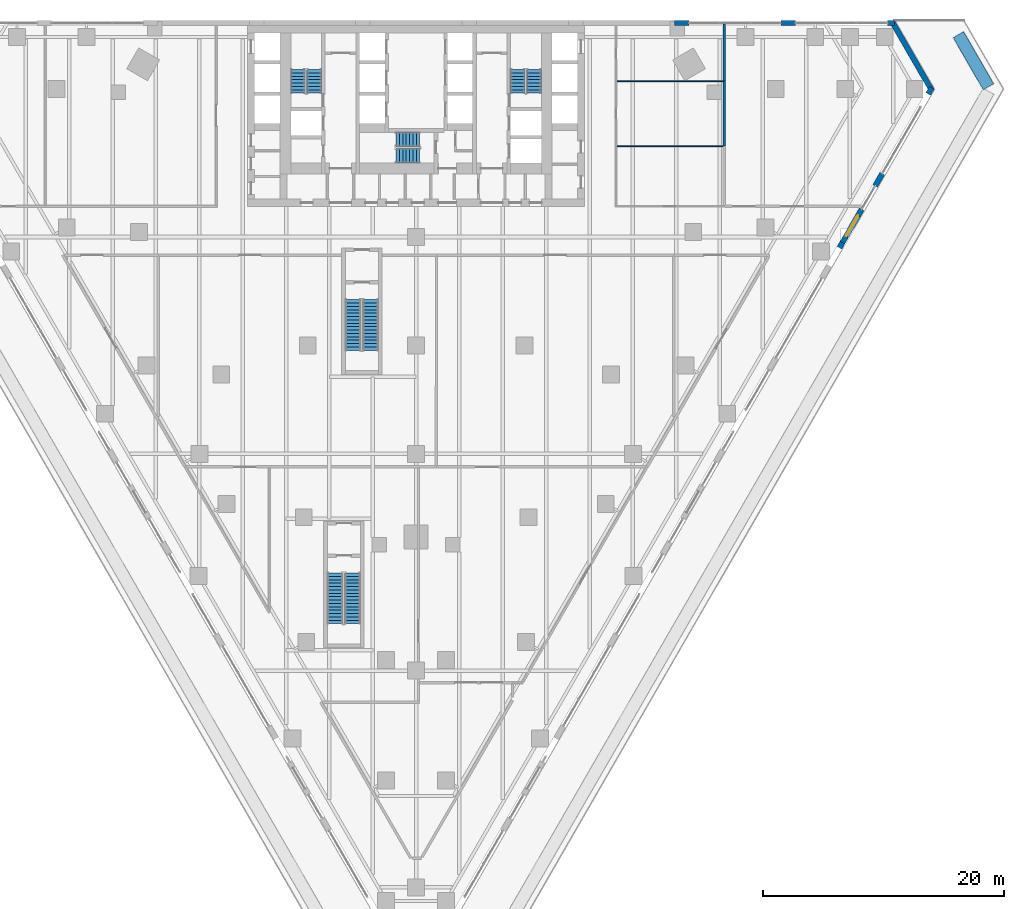
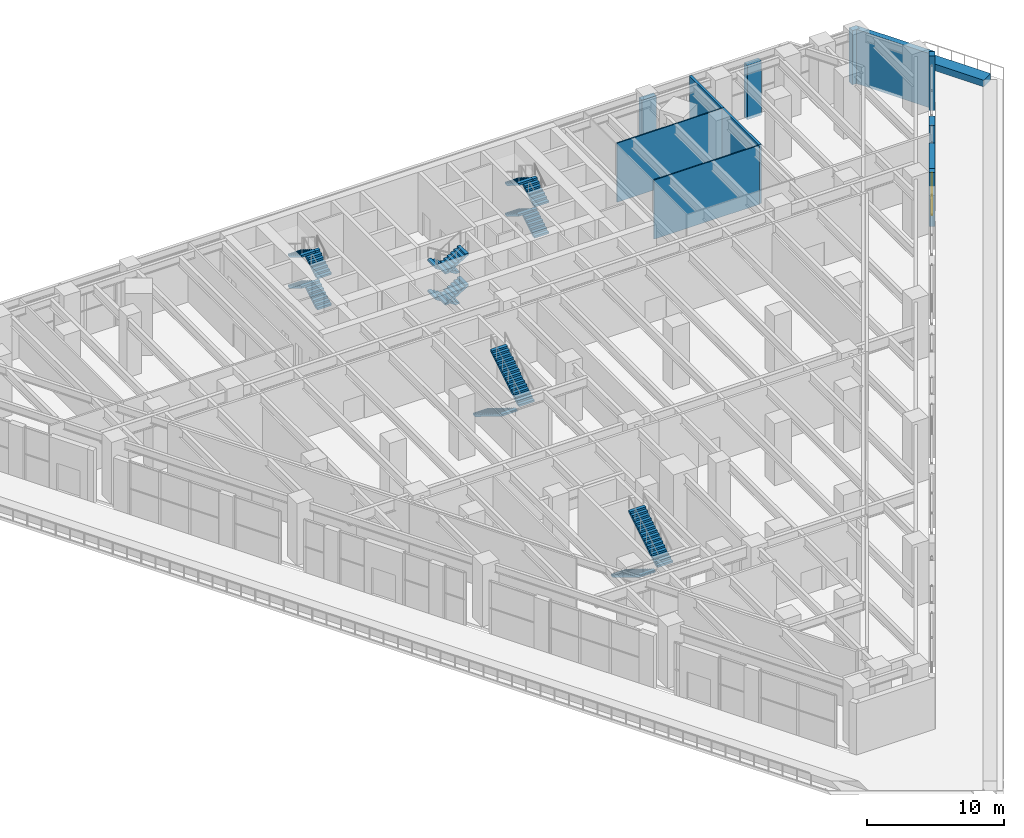
# One storey, part 25 of 30: 16 stair flights, 13 walls, 1 door, 1 opening, 5 elements without a shape of their own.
"""IFC4 building model written with IfcOpenShell, lengths in metres."""

from ifc_helpers import new_model, si_unit, direction, frame, frame_2d, origin, place, context, subcontext, project, spatial, polyline, rectangle, outline, extrude, material, layer, layer_set, type_object, element, fill, aggregate, save


model = new_model("IFC4")

# Units and contexts
model_context = context("Model", 3, precision=1e-05, world=origin(), true_north=direction((0.0, 1.0)))
body_context = subcontext(model_context, "Body", "Model", "MODEL_VIEW")
ifc_project = project(units=[si_unit("LENGTHUNIT", "METRE"), si_unit("AREAUNIT", "SQUARE_METRE"), si_unit("VOLUMEUNIT", "CUBIC_METRE"), si_unit("PLANEANGLEUNIT", "RADIAN"), si_unit("MASSUNIT", "GRAM", prefix="KILO")], contexts=[model_context])

# Site, building, storey
site_placement = place(None, origin())
site = spatial("IfcSite", under=ifc_project, at=site_placement, CompositionType="ELEMENT")
building_placement = place(site_placement, origin())
building = spatial("IfcBuilding", under=site, at=building_placement, Name="Aloe Facet Convention Tower", CompositionType="ELEMENT")
storey_placement = place(building_placement, frame((0.0, 0.0, 19.5)))
storey = spatial("IfcBuildingStorey", under=building, at=storey_placement, Name="L03", CompositionType="ELEMENT", Elevation=19.5)

# Walls
ifc_material_1 = material(Name="Precast concrete C40/50", Category="concrete")
ifc_layer_1 = layer(ifc_material_1, 1.0)
ifc_layer_set_1 = layer_set([ifc_layer_1], Name="EV-PLANTER-BED")
wall_type_1 = type_object("IfcWallType", Name="EV-PLANTER-BED", PredefinedType="STANDARD", material=ifc_layer_set_1)
wall_1_placement = place(storey_placement, frame((125.028076171875, 133.80712890625, 0.0), z_axis=(0.0, 0.0, 1.0), x_axis=(0.500004234368, -0.866022959057, 0.0)))
element("IfcWall", 1, at=wall_1_placement, inside=storey, type_object=wall_type_1, Name="PLANTER PT-L03-1-1", PredefinedType="STANDARD", context=body_context, shape_type="SweptSolid", body=[
    extrude(rectangle(XDim=5.0, YDim=1.0, at=frame_2d((2.5, 0.0))), origin(), (0.0, 0.0, 1.0), 0.60009765625),
])
ifc_material_2 = material(Name="Precast concrete C40/50", Category="concrete")
ifc_layer_2 = layer(ifc_material_2, 0.449951171875)
ifc_layer_set_2 = layer_set([ifc_layer_2], Name="EV-WALL-PIER")
wall_type_2 = type_object("IfcWallType", Name="EV-WALL-PIER", PredefinedType="SOLIDWALL", material=ifc_layer_set_2)
wall_2_placement = place(storey_placement, frame((0.0, 0.0, -0.25)))
element("IfcWall", 2, at=wall_2_placement, inside=storey, type_object=wall_type_2, Name="EP-L03-C", PredefinedType="SOLIDWALL", context=body_context, shape_type="SweptSolid", body=[
    extrude(outline(polyline([(123.0205078125, 129.2841796875), (122.630859375, 129.50927734375), (122.5009765625, 129.2841796875), (119.460693359375, 134.550048828125), (119.720458984375, 134.550048828125), (119.720458984375, 135.0), (123.0205078125, 129.2841796875)])), origin(), (0.0, 0.0, 1.0), 4.8125),
])
ifc_material_3 = material(Name="Precast concrete C40/50", Category="concrete")
ifc_layer_3 = layer(ifc_material_3, 0.449951171875)
ifc_layer_set_3 = layer_set([ifc_layer_3], Name="EV-WALL-STONE")
wall_type_3 = type_object("IfcWallType", Name="EV-WALL-STONE", PredefinedType="SOLIDWALL", material=ifc_layer_set_3)
wall_3_placement = place(storey_placement, frame((119.720458984375, 134.77490234375, -0.25), z_axis=(0.0, 0.0, 1.0), x_axis=(-1.0, 0.0, 0.0)))
element("IfcWall", 3, at=wall_3_placement, inside=storey, type_object=wall_type_3, Name="PW-L03-N01", PredefinedType="SOLIDWALL", context=body_context, shape_type="SweptSolid", body=[
    extrude(rectangle(XDim=0.599853515625, YDim=0.449951171875, at=frame_2d((0.2998046875, 0.0))), origin(), (0.0, 0.0, 1.0), 4.8125),
])
for number, where, z_axis, x_axis, name in (
    (4, (111.49365234375, 134.77490234375, -0.25), (0.0, 0.0, 1.0), (-1.0, 0.0, 0.0), "PW-L03-N03"),
    (5, (102.6669921875, 134.77490234375, -0.25), (0.0, 0.0, 1.0), (-1.0, 0.0, 0.0), "PW-L03-N05"),
):
    element("IfcWall", number, at=place(storey_placement, frame(where, z_axis=z_axis, x_axis=x_axis)), inside=storey, type_object=wall_type_3, Name=name, PredefinedType="SOLIDWALL", context=body_context, shape_type="SweptSolid", body=[
        extrude(rectangle(XDim=1.199951171875, YDim=0.449951171875, at=frame_2d((0.60009765625, 0.0))), origin(), (0.0, 0.0, 1.0), 4.8125),
    ])
wall_4_placement = place(storey_placement, frame((115.1513671875, 116.1044921875, -0.25), z_axis=(0.0, 0.0, 1.0), x_axis=(0.500013496215, 0.866017611601, 0.0)))
element("IfcWall", 6, at=wall_4_placement, inside=storey, type_object=wall_type_3, Name="CW-L03-E16A-S1", PredefinedType="SOLIDWALL", context=body_context, shape_type="SweptSolid", body=[
    extrude(rectangle(XDim=0.50830078125, YDim=0.449951171875, at=frame_2d((0.254150390625, 0.0))), origin(), (0.0, 0.0, 1.0), 4.8125),
])

# Wall, opening, door
wall_5_placement = place(storey_placement, frame((115.405517578125, 116.544677734375, -0.25), z_axis=(0.0, 0.0, 1.0), x_axis=(0.499995408039, 0.866028054938, 0.0)))
wall_5 = element("IfcWall", 7, at=wall_5_placement, inside=storey, type_object=wall_type_3, Name="PW-L03-E16", PredefinedType="SOLIDWALL", context=body_context, shape_type="SweptSolid", body=[
    extrude(rectangle(XDim=3.2001953125, YDim=0.449951171875, at=frame_2d((1.60009765625, 0.0))), origin(), (0.0, 0.0, 1.0), 4.8125),
])
opening_placement = place(wall_5_placement, frame((0.60009765625, 0.0, 0.25)))
opening = element("IfcOpeningElement", 8, at=opening_placement, cuts=wall_5, Name="Opening D-L03-E16", PredefinedType="OPENING", context=body_context, shape_type="SweptSolid", body=[
    extrude(rectangle(XDim=2.0, YDim=2.39990234375, at=frame_2d((1.0, 1.199951171875))), frame((0.0, 0.23486328125, 0.0), z_axis=(0.0, -1.0, 0.0), x_axis=(1.0, 0.0, 0.0)), (0.0, 0.0, 1.0), 0.469970703125),
])
ifc_material_4 = material(Name="Aluminium frame, clear double glazing", Category="aluminium")
door_type = type_object("IfcDoorType", Name="EV-DOOR-HALL", OperationType="DOUBLE_DOOR_SINGLE_SWING", PredefinedType="DOOR", material=ifc_material_4)
door_placement = place(opening_placement, origin())
door = element("IfcDoor", 9, at=door_placement, inside=storey, type_object=door_type, Name="D-L03-E16", OperationType="DOUBLE_DOOR_SINGLE_SWING", OverallHeight=2.39990234375, OverallWidth=2.0, PredefinedType="DOOR", context=body_context, shape_type="SweptSolid", body=[
    extrude(rectangle(XDim=2.0, YDim=2.39990234375, at=frame_2d((1.0, 1.199951171875))), frame((0.0, 0.02490234375, 0.0), z_axis=(0.0, -1.0, 0.0), x_axis=(1.0, 0.0, 0.0)), (0.0, 0.0, 1.0), 0.050048828125),
])
fill(opening, door)

# Walls
wall_6_placement = place(storey_placement, frame((118.1123046875, 121.23291015625, -0.25), z_axis=(0.0, 0.0, 1.0), x_axis=(0.499880961361, 0.866094119867, 0.0)))
element("IfcWall", 10, at=wall_6_placement, inside=storey, type_object=wall_type_3, Name="PW-L03-E17", PredefinedType="SOLIDWALL", context=body_context, shape_type="SweptSolid", body=[
    extrude(rectangle(XDim=1.199951171875, YDim=0.449951171875, at=frame_2d((0.60009765625, 0.0))), origin(), (0.0, 0.0, 1.0), 4.8125),
])
wall_7_placement = place(storey_placement, frame((122.525634765625, 128.877197265625, -0.25), z_axis=(0.0, 0.0, 1.0), x_axis=(0.50012165622, 0.865955154139, 0.0)))
element("IfcWall", 11, at=wall_7_placement, inside=storey, type_object=wall_type_3, Name="PW-L03-E19", PredefinedType="SOLIDWALL", context=body_context, shape_type="SweptSolid", body=[
    extrude(rectangle(XDim=0.599853515625, YDim=0.449951171875, at=frame_2d((0.2998046875, 0.0))), origin(), (0.0, 0.0, 1.0), 4.8125),
])
ifc_material_5 = material(Name="Masonry blockwork wall, plastered", Category="masonry")
ifc_layer_4 = layer(ifc_material_5, 0.199951171875)
ifc_layer_set_4 = layer_set([ifc_layer_4], Name="IN-POD-W-ASSY")
wall_type_4 = type_object("IfcWallType", Name="IN-POD-W-ASSY", PredefinedType="PARTITIONING", material=ifc_layer_set_4)
wall_8_placement = place(storey_placement, frame((105.60009765625, 124.550048828125, 0.0), z_axis=(0.0, 0.0, 1.0), x_axis=(0.0, 1.0, 0.0)))
element("IfcWall", 12, at=wall_8_placement, inside=storey, type_object=wall_type_4, Name="Partition L03-W039", PredefinedType="PARTITIONING", context=body_context, shape_type="SweptSolid", body=[
    extrude(rectangle(XDim=5.39990234375, YDim=0.199951171875, at=frame_2d((2.699951171875, 0.0))), origin(), (0.0, 0.0, 1.0), 5.25),
])
wall_9_placement = place(storey_placement, frame((105.60009765625, 129.949951171875, 0.0), z_axis=(0.0, 0.0, 1.0), x_axis=(0.0, 1.0, 0.0)))
element("IfcWall", 13, at=wall_9_placement, inside=storey, type_object=wall_type_4, Name="Partition L03-W042", PredefinedType="PARTITIONING", context=body_context, shape_type="SweptSolid", body=[
    extrude(rectangle(XDim=4.72509765625, YDim=0.199951171875, at=frame_2d((2.362548828125, 0.0))), origin(), (0.0, 0.0, 1.0), 5.25),
])
ifc_material_6 = material(Name="Gypsum board partition on steel studs, moisture resistant", Category="steel")
ifc_layer_5 = layer(ifc_material_6, 0.10009765625)
ifc_layer_set_5 = layer_set([ifc_layer_5], Name="IN-POD-W-WET")
wall_type_5 = type_object("IfcWallType", Name="IN-POD-W-WET", PredefinedType="PARTITIONING", material=ifc_layer_set_5)
for number, where, z_axis, x_axis, name in (
    (14, (96.675048828125, 124.550048828125, 0.0), (0.0, 0.0, 1.0), (1.0, 0.0, 0.0), "Partition L03-W038"),
    (15, (96.675048828125, 129.949951171875, 0.0), (0.0, 0.0, 1.0), (1.0, 0.0, 0.0), "Partition L03-W041"),
):
    element("IfcWall", number, at=place(storey_placement, frame(where, z_axis=z_axis, x_axis=x_axis)), inside=storey, type_object=wall_type_5, Name=name, PredefinedType="PARTITIONING", context=body_context, shape_type="SweptSolid", body=[
        extrude(rectangle(XDim=8.824951171875, YDim=0.10009765625, at=frame_2d((4.41259765625, 0.0))), origin(), (0.0, 0.0, 1.0), 5.25),
    ])

# Stair, stair flights
ifc_material_7 = material(Name="Concrete C50/60", Category="concrete")
stair_type_1 = type_object("IfcStairType", Name="CR-ST-32R", PredefinedType="HALF_TURN_STAIR", material=ifc_material_7)
stair_1_placement = place(storey_placement, origin())
stair_1 = element("IfcStair", 16, at=stair_1_placement, inside=storey, type_object=stair_type_1, Name="L03 Protected exit stair ST1", PredefinedType="HALF_TURN_STAIR")
ifc_material_8 = material(Name="Concrete C50/60", Category="concrete")
stair_flight_type_1 = type_object("IfcStairFlightType", Name="CR-SFL-32R", PredefinedType="STRAIGHT", material=ifc_material_8)
stair_flight_1_placement = place(storey_placement, frame((71.550048828125, 128.949951171875, 0.0), z_axis=(0.0, 0.0, 1.0), x_axis=(0.0, 1.0, 0.0)))
stair_flight_1 = element("IfcStairFlight", 17, at=stair_flight_1_placement, type_object=stair_flight_type_1, Name="ST1 flight 1", NumberOfRisers=8, NumberOfTreads=7, PredefinedType="STRAIGHT", RiserHeight=0.171875, TreadLength=0.28, context=body_context, shape_type="SweptSolid", body=[
    extrude(outline(polyline([(0.0, 0.0), (0.0, 0.171875), (0.280029296875, 0.171875), (0.280029296875, 0.34375), (0.56005859375, 0.34375), (0.56005859375, 0.515625), (0.840087890625, 0.515625), (0.840087890625, 0.6875), (1.1201171875, 0.6875), (1.1201171875, 0.859375), (1.39990234375, 0.859375), (1.39990234375, 1.03125), (1.679931640625, 1.03125), (1.679931640625, 1.203125), (1.9599609375, 1.203125), (1.9599609375, 1.375), (1.9599609375, 1.02734375), (0.28662109375, 0.0), (0.0, 0.0)])), frame((0.0, 0.60009765625, 0.0), z_axis=(0.0, -1.0, 0.0), x_axis=(1.0, 0.0, 0.0)), (0.0, 0.0, 1.0), 1.199951171875),
])
stair_flight_2_placement = place(storey_placement, frame((70.199951171875, 130.909912109375, 1.375), z_axis=(0.0, 0.0, 1.0), x_axis=(0.0, -1.0, 0.0)))
stair_flight_2 = element("IfcStairFlight", 18, at=stair_flight_2_placement, type_object=stair_flight_type_1, Name="ST1 flight 2", NumberOfRisers=8, NumberOfTreads=7, PredefinedType="STRAIGHT", RiserHeight=0.171875, TreadLength=0.28, context=body_context, shape_type="SweptSolid", body=[
    extrude(outline(polyline([(0.0, 0.0), (0.0, 0.171875), (0.280029296875, 0.171875), (0.280029296875, 0.34375), (0.56005859375, 0.34375), (0.56005859375, 0.515625), (0.840087890625, 0.515625), (0.840087890625, 0.6875), (1.1201171875, 0.6875), (1.1201171875, 0.859375), (1.39990234375, 0.859375), (1.39990234375, 1.03125), (1.679931640625, 1.03125), (1.679931640625, 1.203125), (1.9599609375, 1.203125), (1.9599609375, 1.375), (1.9599609375, 1.02734375), (0.28662109375, 0.0), (0.0, 0.0)])), frame((0.0, 0.60009765625, 0.0), z_axis=(0.0, -1.0, 0.0), x_axis=(1.0, 0.0, 0.0)), (0.0, 0.0, 1.0), 1.199951171875),
])
stair_flight_3_placement = place(storey_placement, frame((71.550048828125, 128.949951171875, 2.75), z_axis=(0.0, 0.0, 1.0), x_axis=(0.0, 1.0, 0.0)))
stair_flight_3 = element("IfcStairFlight", 19, at=stair_flight_3_placement, type_object=stair_flight_type_1, Name="ST1 flight 3", NumberOfRisers=8, NumberOfTreads=7, PredefinedType="STRAIGHT", RiserHeight=0.171875, TreadLength=0.28, context=body_context, shape_type="SweptSolid", body=[
    extrude(outline(polyline([(0.0, 0.0), (0.0, 0.171875), (0.280029296875, 0.171875), (0.280029296875, 0.34375), (0.56005859375, 0.34375), (0.56005859375, 0.515625), (0.840087890625, 0.515625), (0.840087890625, 0.6875), (1.1201171875, 0.6875), (1.1201171875, 0.859375), (1.39990234375, 0.859375), (1.39990234375, 1.03125), (1.679931640625, 1.03125), (1.679931640625, 1.203125), (1.9599609375, 1.203125), (1.9599609375, 1.375), (1.9599609375, 1.02734375), (0.28662109375, 0.0), (0.0, 0.0)])), frame((0.0, 0.60009765625, 0.0), z_axis=(0.0, -1.0, 0.0), x_axis=(1.0, 0.0, 0.0)), (0.0, 0.0, 1.0), 1.199951171875),
])
stair_flight_4_placement = place(storey_placement, frame((70.199951171875, 130.909912109375, 4.125), z_axis=(0.0, 0.0, 1.0), x_axis=(0.0, -1.0, 0.0)))
stair_flight_4 = element("IfcStairFlight", 20, at=stair_flight_4_placement, type_object=stair_flight_type_1, Name="ST1 flight 4", NumberOfRisers=8, NumberOfTreads=7, PredefinedType="STRAIGHT", RiserHeight=0.171875, TreadLength=0.28, context=body_context, shape_type="SweptSolid", body=[
    extrude(outline(polyline([(0.0, 0.0), (0.0, 0.171875), (0.280029296875, 0.171875), (0.280029296875, 0.34375), (0.56005859375, 0.34375), (0.56005859375, 0.515625), (0.840087890625, 0.515625), (0.840087890625, 0.6875), (1.1201171875, 0.6875), (1.1201171875, 0.859375), (1.39990234375, 0.859375), (1.39990234375, 1.03125), (1.679931640625, 1.03125), (1.679931640625, 1.203125), (1.9599609375, 1.203125), (1.9599609375, 1.375), (1.9599609375, 1.02734375), (0.28662109375, 0.0), (0.0, 0.0)])), frame((0.0, 0.60009765625, 0.0), z_axis=(0.0, -1.0, 0.0), x_axis=(1.0, 0.0, 0.0)), (0.0, 0.0, 1.0), 1.199951171875),
])
aggregate(stair_1, [stair_flight_1, stair_flight_2, stair_flight_3, stair_flight_4])

stair_2_placement = place(storey_placement, origin())
stair_2 = element("IfcStair", 21, at=stair_2_placement, inside=storey, type_object=stair_type_1, Name="L03 Protected exit stair ST2", PredefinedType="HALF_TURN_STAIR")
stair_flight_5_placement = place(storey_placement, frame((89.800048828125, 128.949951171875, 0.0), z_axis=(0.0, 0.0, 1.0), x_axis=(0.0, 1.0, 0.0)))
stair_flight_5 = element("IfcStairFlight", 22, at=stair_flight_5_placement, type_object=stair_flight_type_1, Name="ST2 flight 1", NumberOfRisers=8, NumberOfTreads=7, PredefinedType="STRAIGHT", RiserHeight=0.171875, TreadLength=0.28, context=body_context, shape_type="SweptSolid", body=[
    extrude(outline(polyline([(0.0, 0.0), (0.0, 0.171875), (0.280029296875, 0.171875), (0.280029296875, 0.34375), (0.56005859375, 0.34375), (0.56005859375, 0.515625), (0.840087890625, 0.515625), (0.840087890625, 0.6875), (1.1201171875, 0.6875), (1.1201171875, 0.859375), (1.39990234375, 0.859375), (1.39990234375, 1.03125), (1.679931640625, 1.03125), (1.679931640625, 1.203125), (1.9599609375, 1.203125), (1.9599609375, 1.375), (1.9599609375, 1.02734375), (0.28662109375, 0.0), (0.0, 0.0)])), frame((0.0, 0.60009765625, 0.0), z_axis=(0.0, -1.0, 0.0), x_axis=(1.0, 0.0, 0.0)), (0.0, 0.0, 1.0), 1.199951171875),
])
stair_flight_6_placement = place(storey_placement, frame((88.449951171875, 130.909912109375, 1.375), z_axis=(0.0, 0.0, 1.0), x_axis=(0.0, -1.0, 0.0)))
stair_flight_6 = element("IfcStairFlight", 23, at=stair_flight_6_placement, type_object=stair_flight_type_1, Name="ST2 flight 2", NumberOfRisers=8, NumberOfTreads=7, PredefinedType="STRAIGHT", RiserHeight=0.171875, TreadLength=0.28, context=body_context, shape_type="SweptSolid", body=[
    extrude(outline(polyline([(0.0, 0.0), (0.0, 0.171875), (0.280029296875, 0.171875), (0.280029296875, 0.34375), (0.56005859375, 0.34375), (0.56005859375, 0.515625), (0.840087890625, 0.515625), (0.840087890625, 0.6875), (1.1201171875, 0.6875), (1.1201171875, 0.859375), (1.39990234375, 0.859375), (1.39990234375, 1.03125), (1.679931640625, 1.03125), (1.679931640625, 1.203125), (1.9599609375, 1.203125), (1.9599609375, 1.375), (1.9599609375, 1.02734375), (0.28662109375, 0.0), (0.0, 0.0)])), frame((0.0, 0.60009765625, 0.0), z_axis=(0.0, -1.0, 0.0), x_axis=(1.0, 0.0, 0.0)), (0.0, 0.0, 1.0), 1.199951171875),
])
stair_flight_7_placement = place(storey_placement, frame((89.800048828125, 128.949951171875, 2.75), z_axis=(0.0, 0.0, 1.0), x_axis=(0.0, 1.0, 0.0)))
stair_flight_7 = element("IfcStairFlight", 24, at=stair_flight_7_placement, type_object=stair_flight_type_1, Name="ST2 flight 3", NumberOfRisers=8, NumberOfTreads=7, PredefinedType="STRAIGHT", RiserHeight=0.171875, TreadLength=0.28, context=body_context, shape_type="SweptSolid", body=[
    extrude(outline(polyline([(0.0, 0.0), (0.0, 0.171875), (0.280029296875, 0.171875), (0.280029296875, 0.34375), (0.56005859375, 0.34375), (0.56005859375, 0.515625), (0.840087890625, 0.515625), (0.840087890625, 0.6875), (1.1201171875, 0.6875), (1.1201171875, 0.859375), (1.39990234375, 0.859375), (1.39990234375, 1.03125), (1.679931640625, 1.03125), (1.679931640625, 1.203125), (1.9599609375, 1.203125), (1.9599609375, 1.375), (1.9599609375, 1.02734375), (0.28662109375, 0.0), (0.0, 0.0)])), frame((0.0, 0.60009765625, 0.0), z_axis=(0.0, -1.0, 0.0), x_axis=(1.0, 0.0, 0.0)), (0.0, 0.0, 1.0), 1.199951171875),
])
stair_flight_8_placement = place(storey_placement, frame((88.449951171875, 130.909912109375, 4.125), z_axis=(0.0, 0.0, 1.0), x_axis=(0.0, -1.0, 0.0)))
stair_flight_8 = element("IfcStairFlight", 25, at=stair_flight_8_placement, type_object=stair_flight_type_1, Name="ST2 flight 4", NumberOfRisers=8, NumberOfTreads=7, PredefinedType="STRAIGHT", RiserHeight=0.171875, TreadLength=0.28, context=body_context, shape_type="SweptSolid", body=[
    extrude(outline(polyline([(0.0, 0.0), (0.0, 0.171875), (0.280029296875, 0.171875), (0.280029296875, 0.34375), (0.56005859375, 0.34375), (0.56005859375, 0.515625), (0.840087890625, 0.515625), (0.840087890625, 0.6875), (1.1201171875, 0.6875), (1.1201171875, 0.859375), (1.39990234375, 0.859375), (1.39990234375, 1.03125), (1.679931640625, 1.03125), (1.679931640625, 1.203125), (1.9599609375, 1.203125), (1.9599609375, 1.375), (1.9599609375, 1.02734375), (0.28662109375, 0.0), (0.0, 0.0)])), frame((0.0, 0.60009765625, 0.0), z_axis=(0.0, -1.0, 0.0), x_axis=(1.0, 0.0, 0.0)), (0.0, 0.0, 1.0), 1.199951171875),
])
aggregate(stair_2, [stair_flight_5, stair_flight_6, stair_flight_7, stair_flight_8])

stair_3_placement = place(storey_placement, origin())
stair_3 = element("IfcStair", 26, at=stair_3_placement, inside=storey, type_object=stair_type_1, Name="L03 Protected exit stair ST3", PredefinedType="HALF_TURN_STAIR")
stair_flight_9_placement = place(storey_placement, frame((80.300048828125, 125.10009765625, 0.0), z_axis=(0.0, 0.0, 1.0), x_axis=(-1.0, 0.0, 0.0)))
stair_flight_9 = element("IfcStairFlight", 27, at=stair_flight_9_placement, type_object=stair_flight_type_1, Name="ST3 flight 1", NumberOfRisers=8, NumberOfTreads=7, PredefinedType="STRAIGHT", RiserHeight=0.171875, TreadLength=0.28, context=body_context, shape_type="SweptSolid", body=[
    extrude(outline(polyline([(0.0, 0.0), (0.0, 0.171875), (0.280029296875, 0.171875), (0.280029296875, 0.34375), (0.56005859375, 0.34375), (0.56005859375, 0.515625), (0.840087890625, 0.515625), (0.840087890625, 0.6875), (1.1201171875, 0.6875), (1.1201171875, 0.859375), (1.39990234375, 0.859375), (1.39990234375, 1.03125), (1.679931640625, 1.03125), (1.679931640625, 1.203125), (1.9599609375, 1.203125), (1.9599609375, 1.375), (1.9599609375, 1.02734375), (0.28662109375, 0.0), (0.0, 0.0)])), frame((0.0, 0.60009765625, 0.0), z_axis=(0.0, -1.0, 0.0), x_axis=(1.0, 0.0, 0.0)), (0.0, 0.0, 1.0), 1.199951171875),
])
stair_flight_10_placement = place(storey_placement, frame((78.340087890625, 123.75, 1.375), z_axis=(0.0, 0.0, 1.0), x_axis=(1.0, 0.0, 0.0)))
stair_flight_10 = element("IfcStairFlight", 28, at=stair_flight_10_placement, type_object=stair_flight_type_1, Name="ST3 flight 2", NumberOfRisers=8, NumberOfTreads=7, PredefinedType="STRAIGHT", RiserHeight=0.171875, TreadLength=0.28, context=body_context, shape_type="SweptSolid", body=[
    extrude(outline(polyline([(0.0, 0.0), (0.0, 0.171875), (0.280029296875, 0.171875), (0.280029296875, 0.34375), (0.56005859375, 0.34375), (0.56005859375, 0.515625), (0.840087890625, 0.515625), (0.840087890625, 0.6875), (1.1201171875, 0.6875), (1.1201171875, 0.859375), (1.39990234375, 0.859375), (1.39990234375, 1.03125), (1.679931640625, 1.03125), (1.679931640625, 1.203125), (1.9599609375, 1.203125), (1.9599609375, 1.375), (1.9599609375, 1.02734375), (0.28662109375, 0.0), (0.0, 0.0)])), frame((0.0, 0.60009765625, 0.0), z_axis=(0.0, -1.0, 0.0), x_axis=(1.0, 0.0, 0.0)), (0.0, 0.0, 1.0), 1.199951171875),
])
stair_flight_11_placement = place(storey_placement, frame((80.300048828125, 125.10009765625, 2.75), z_axis=(0.0, 0.0, 1.0), x_axis=(-1.0, 0.0, 0.0)))
stair_flight_11 = element("IfcStairFlight", 29, at=stair_flight_11_placement, type_object=stair_flight_type_1, Name="ST3 flight 3", NumberOfRisers=8, NumberOfTreads=7, PredefinedType="STRAIGHT", RiserHeight=0.171875, TreadLength=0.28, context=body_context, shape_type="SweptSolid", body=[
    extrude(outline(polyline([(0.0, 0.0), (0.0, 0.171875), (0.280029296875, 0.171875), (0.280029296875, 0.34375), (0.56005859375, 0.34375), (0.56005859375, 0.515625), (0.840087890625, 0.515625), (0.840087890625, 0.6875), (1.1201171875, 0.6875), (1.1201171875, 0.859375), (1.39990234375, 0.859375), (1.39990234375, 1.03125), (1.679931640625, 1.03125), (1.679931640625, 1.203125), (1.9599609375, 1.203125), (1.9599609375, 1.375), (1.9599609375, 1.02734375), (0.28662109375, 0.0), (0.0, 0.0)])), frame((0.0, 0.60009765625, 0.0), z_axis=(0.0, -1.0, 0.0), x_axis=(1.0, 0.0, 0.0)), (0.0, 0.0, 1.0), 1.199951171875),
])
stair_flight_12_placement = place(storey_placement, frame((78.340087890625, 123.75, 4.125), z_axis=(0.0, 0.0, 1.0), x_axis=(1.0, 0.0, 0.0)))
stair_flight_12 = element("IfcStairFlight", 30, at=stair_flight_12_placement, type_object=stair_flight_type_1, Name="ST3 flight 4", NumberOfRisers=8, NumberOfTreads=7, PredefinedType="STRAIGHT", RiserHeight=0.171875, TreadLength=0.28, context=body_context, shape_type="SweptSolid", body=[
    extrude(outline(polyline([(0.0, 0.0), (0.0, 0.171875), (0.280029296875, 0.171875), (0.280029296875, 0.34375), (0.56005859375, 0.34375), (0.56005859375, 0.515625), (0.840087890625, 0.515625), (0.840087890625, 0.6875), (1.1201171875, 0.6875), (1.1201171875, 0.859375), (1.39990234375, 0.859375), (1.39990234375, 1.03125), (1.679931640625, 1.03125), (1.679931640625, 1.203125), (1.9599609375, 1.203125), (1.9599609375, 1.375), (1.9599609375, 1.02734375), (0.28662109375, 0.0), (0.0, 0.0)])), frame((0.0, 0.60009765625, 0.0), z_axis=(0.0, -1.0, 0.0), x_axis=(1.0, 0.0, 0.0)), (0.0, 0.0, 1.0), 1.199951171875),
])
aggregate(stair_3, [stair_flight_9, stair_flight_10, stair_flight_11, stair_flight_12])

ifc_material_9 = material(Name="Concrete C50/60", Category="concrete")
stair_type_2 = type_object("IfcStairType", Name="CR-ST-32R-W1300", PredefinedType="HALF_TURN_STAIR", material=ifc_material_9)
stair_4_placement = place(storey_placement, origin())
stair_4 = element("IfcStair", 31, at=stair_4_placement, inside=storey, type_object=stair_type_2, Name="L03 Protected exit stair ST4", PredefinedType="HALF_TURN_STAIR")
ifc_material_10 = material(Name="Concrete C50/60", Category="concrete")
stair_flight_type_2 = type_object("IfcStairFlightType", Name="CR-SFL-32R-W1300", PredefinedType="STRAIGHT", material=ifc_material_10)
stair_flight_13_placement = place(storey_placement, frame((73.27490234375, 89.10009765625, 0.0), z_axis=(0.0, 0.0, 1.0), x_axis=(0.0, -1.0, 0.0)))
stair_flight_13 = element("IfcStairFlight", 32, at=stair_flight_13_placement, type_object=stair_flight_type_2, Name="ST4 flight 1", NumberOfRisers=16, NumberOfTreads=15, PredefinedType="STRAIGHT", RiserHeight=0.171875, TreadLength=0.28, context=body_context, shape_type="SweptSolid", body=[
    extrude(outline(polyline([(0.0, 0.0), (0.0, 0.171875), (0.280029296875, 0.171875), (0.280029296875, 0.34375), (0.56005859375, 0.34375), (0.56005859375, 0.515625), (0.840087890625, 0.515625), (0.840087890625, 0.6875), (1.1201171875, 0.6875), (1.1201171875, 0.859375), (1.39990234375, 0.859375), (1.39990234375, 1.03125), (1.679931640625, 1.03125), (1.679931640625, 1.203125), (1.9599609375, 1.203125), (1.9599609375, 1.375), (2.239990234375, 1.375), (2.239990234375, 1.546875), (2.52001953125, 1.546875), (2.52001953125, 1.71875), (2.800048828125, 1.71875), (2.800048828125, 1.890625), (3.080078125, 1.890625), (3.080078125, 2.0625), (3.360107421875, 2.0625), (3.360107421875, 2.234375), (3.639892578125, 2.234375), (3.639892578125, 2.40625), (3.919921875, 2.40625), (3.919921875, 2.578125), (4.199951171875, 2.578125), (4.199951171875, 2.75), (4.199951171875, 2.40234375), (0.28662109375, 0.0), (0.0, 0.0)])), frame((0.0, 0.64990234375, 0.0), z_axis=(0.0, -1.0, 0.0), x_axis=(1.0, 0.0, 0.0)), (0.0, 0.0, 1.0), 1.300048828125),
])
stair_flight_14_placement = place(storey_placement, frame((74.72509765625, 84.89990234375, 2.75), z_axis=(0.0, 0.0, 1.0), x_axis=(0.0, 1.0, 0.0)))
stair_flight_14 = element("IfcStairFlight", 33, at=stair_flight_14_placement, type_object=stair_flight_type_2, Name="ST4 flight 2", NumberOfRisers=16, NumberOfTreads=15, PredefinedType="STRAIGHT", RiserHeight=0.171875, TreadLength=0.28, context=body_context, shape_type="SweptSolid", body=[
    extrude(outline(polyline([(0.0, 0.0), (0.0, 0.171875), (0.280029296875, 0.171875), (0.280029296875, 0.34375), (0.56005859375, 0.34375), (0.56005859375, 0.515625), (0.840087890625, 0.515625), (0.840087890625, 0.6875), (1.1201171875, 0.6875), (1.1201171875, 0.859375), (1.39990234375, 0.859375), (1.39990234375, 1.03125), (1.679931640625, 1.03125), (1.679931640625, 1.203125), (1.9599609375, 1.203125), (1.9599609375, 1.375), (2.239990234375, 1.375), (2.239990234375, 1.546875), (2.52001953125, 1.546875), (2.52001953125, 1.71875), (2.800048828125, 1.71875), (2.800048828125, 1.890625), (3.080078125, 1.890625), (3.080078125, 2.0625), (3.360107421875, 2.0625), (3.360107421875, 2.234375), (3.639892578125, 2.234375), (3.639892578125, 2.40625), (3.919921875, 2.40625), (3.919921875, 2.578125), (4.199951171875, 2.578125), (4.199951171875, 2.75), (4.199951171875, 2.40234375), (0.28662109375, 0.0), (0.0, 0.0)])), frame((0.0, 0.64990234375, 0.0), z_axis=(0.0, -1.0, 0.0), x_axis=(1.0, 0.0, 0.0)), (0.0, 0.0, 1.0), 1.300048828125),
])
aggregate(stair_4, [stair_flight_13, stair_flight_14])

stair_5_placement = place(storey_placement, origin())
stair_5 = element("IfcStair", 34, at=stair_5_placement, inside=storey, type_object=stair_type_2, Name="L03 Protected exit stair ST5", PredefinedType="HALF_TURN_STAIR")
stair_flight_15_placement = place(storey_placement, frame((74.77490234375, 111.800048828125, 0.0), z_axis=(0.0, 0.0, 1.0), x_axis=(0.0, -1.0, 0.0)))
stair_flight_15 = element("IfcStairFlight", 35, at=stair_flight_15_placement, type_object=stair_flight_type_2, Name="ST5 flight 1", NumberOfRisers=16, NumberOfTreads=15, PredefinedType="STRAIGHT", RiserHeight=0.171875, TreadLength=0.28, context=body_context, shape_type="SweptSolid", body=[
    extrude(outline(polyline([(0.0, 0.0), (0.0, 0.171875), (0.280029296875, 0.171875), (0.280029296875, 0.34375), (0.56005859375, 0.34375), (0.56005859375, 0.515625), (0.840087890625, 0.515625), (0.840087890625, 0.6875), (1.1201171875, 0.6875), (1.1201171875, 0.859375), (1.39990234375, 0.859375), (1.39990234375, 1.03125), (1.679931640625, 1.03125), (1.679931640625, 1.203125), (1.9599609375, 1.203125), (1.9599609375, 1.375), (2.239990234375, 1.375), (2.239990234375, 1.546875), (2.52001953125, 1.546875), (2.52001953125, 1.71875), (2.800048828125, 1.71875), (2.800048828125, 1.890625), (3.080078125, 1.890625), (3.080078125, 2.0625), (3.360107421875, 2.0625), (3.360107421875, 2.234375), (3.639892578125, 2.234375), (3.639892578125, 2.40625), (3.919921875, 2.40625), (3.919921875, 2.578125), (4.199951171875, 2.578125), (4.199951171875, 2.75), (4.199951171875, 2.40234375), (0.28662109375, 0.0), (0.0, 0.0)])), frame((0.0, 0.64990234375, 0.0), z_axis=(0.0, -1.0, 0.0), x_axis=(1.0, 0.0, 0.0)), (0.0, 0.0, 1.0), 1.300048828125),
])
stair_flight_16_placement = place(storey_placement, frame((76.22509765625, 107.60009765625, 2.75), z_axis=(0.0, 0.0, 1.0), x_axis=(0.0, 1.0, 0.0)))
stair_flight_16 = element("IfcStairFlight", 36, at=stair_flight_16_placement, type_object=stair_flight_type_2, Name="ST5 flight 2", NumberOfRisers=16, NumberOfTreads=15, PredefinedType="STRAIGHT", RiserHeight=0.171875, TreadLength=0.28, context=body_context, shape_type="SweptSolid", body=[
    extrude(outline(polyline([(0.0, 0.0), (0.0, 0.171875), (0.280029296875, 0.171875), (0.280029296875, 0.34375), (0.56005859375, 0.34375), (0.56005859375, 0.515625), (0.840087890625, 0.515625), (0.840087890625, 0.6875), (1.1201171875, 0.6875), (1.1201171875, 0.859375), (1.39990234375, 0.859375), (1.39990234375, 1.03125), (1.679931640625, 1.03125), (1.679931640625, 1.203125), (1.9599609375, 1.203125), (1.9599609375, 1.375), (2.239990234375, 1.375), (2.239990234375, 1.546875), (2.52001953125, 1.546875), (2.52001953125, 1.71875), (2.800048828125, 1.71875), (2.800048828125, 1.890625), (3.080078125, 1.890625), (3.080078125, 2.0625), (3.360107421875, 2.0625), (3.360107421875, 2.234375), (3.639892578125, 2.234375), (3.639892578125, 2.40625), (3.919921875, 2.40625), (3.919921875, 2.578125), (4.199951171875, 2.578125), (4.199951171875, 2.75), (4.199951171875, 2.40234375), (0.28662109375, 0.0), (0.0, 0.0)])), frame((0.0, 0.64990234375, 0.0), z_axis=(0.0, -1.0, 0.0), x_axis=(1.0, 0.0, 0.0)), (0.0, 0.0, 1.0), 1.300048828125),
])
aggregate(stair_5, [stair_flight_15, stair_flight_16])

save(model, "model.ifc")
